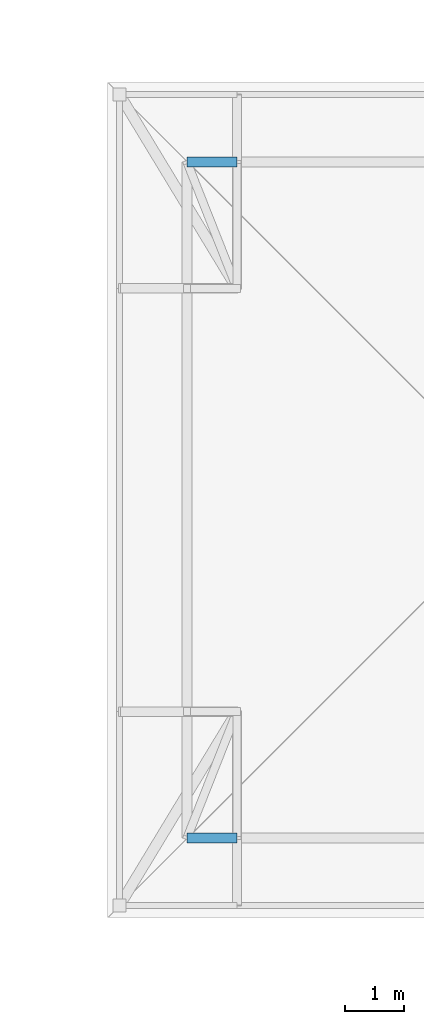
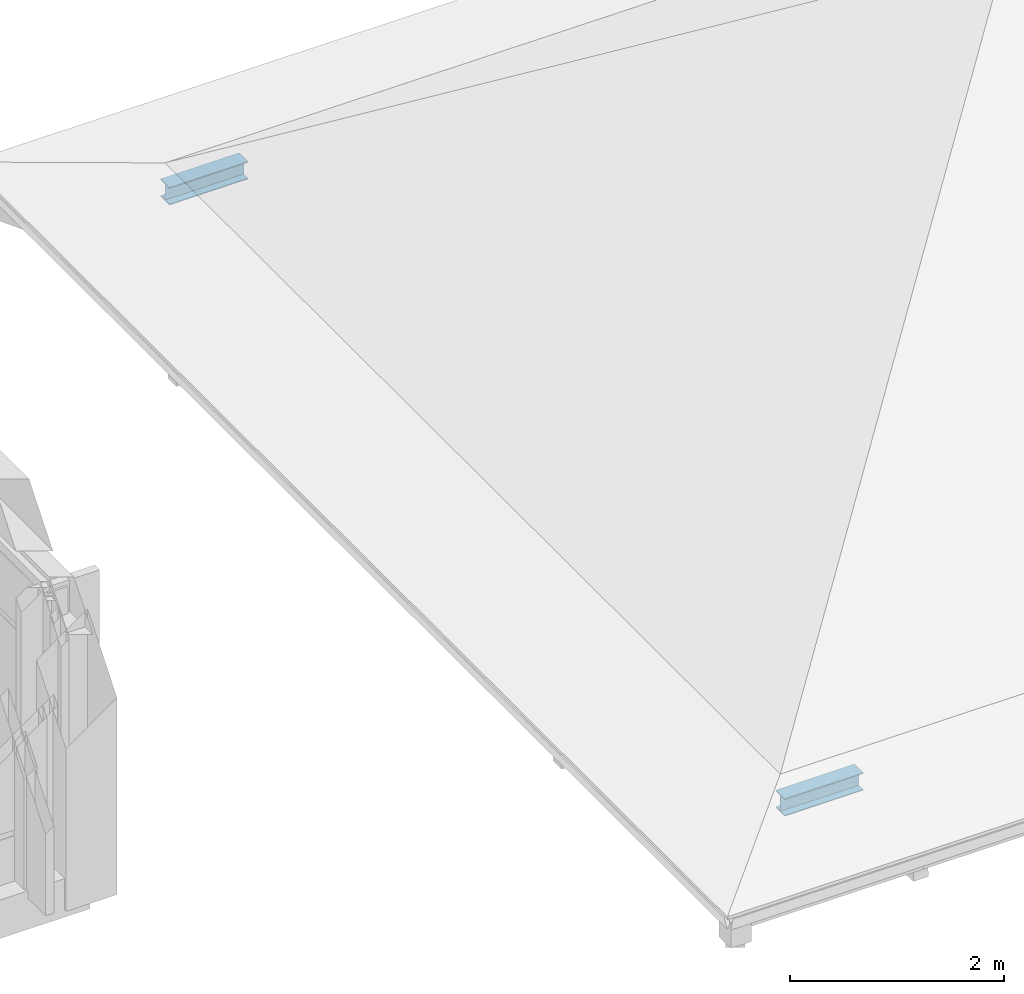
# One storey, part 20 of 51: 2 members.
"""IFC4 building model written with IfcOpenShell, lengths in metres."""

from ifc_helpers import new_model, si_unit, direction, frame, origin, origin_2d, place, context, subcontext, project, spatial, i_section, extrude, material, material_profile, profile_set, type_object, element, save


model = new_model("IFC4")

# Units and contexts
model_context = context("Model", 3, precision=1e-05, world=origin(), true_north=direction((0.0, 1.0)))
body_context = subcontext(model_context, "Body", "Model", "MODEL_VIEW")
ifc_project = project(units=[si_unit("LENGTHUNIT", "METRE"), si_unit("AREAUNIT", "SQUARE_METRE"), si_unit("VOLUMEUNIT", "CUBIC_METRE"), si_unit("PLANEANGLEUNIT", "RADIAN"), si_unit("MASSUNIT", "GRAM", prefix="KILO")], contexts=[model_context])

# Site, building, storey
site_placement = place(None, origin())
site = spatial("IfcSite", under=ifc_project, at=site_placement, CompositionType="ELEMENT")
building_placement = place(site_placement, origin())
building = spatial("IfcBuilding", under=site, at=building_placement, Name="Steenspoor Specialist Clinic", CompositionType="ELEMENT")
storey_placement = place(building_placement, frame((0.0, 0.0, 17.39990234375)))
storey = spatial("IfcBuildingStorey", under=building, at=storey_placement, Name="L04", CompositionType="ELEMENT", Elevation=17.39990234375)

# Members
ifc_material = material(Name="Steel A992 Grade 50", Category="steel")
ifc_material_profile = material_profile(ifc_material, i_section(OverallWidth=0.1650390625, OverallDepth=0.200927734375, WebThickness=0.006103515625, FlangeThickness=0.01025390625, at=origin_2d()), Name="W200X36")
ifc_profile_set = profile_set([ifc_material_profile], Name="Steel A992 Grade 50")
member_type = type_object("IfcMemberType", Name="MEM-PURLIN-W200", PredefinedType="PURLIN", material=ifc_profile_set)
for number, where, z_axis, x_axis, name in (
    (1, (101.949951171875, 70.199951171875, 0.052490234375), (1.0, 0.0, 0.0), (0.0, 1.0, 0.0), "ROOF TRUSS Knuckle Purlin 263"),
    (2, (101.949951171875, 81.699951171875, 0.052490234375), (1.0, 0.0, 0.0), (0.0, 1.0, 0.0), "ROOF TRUSS Knuckle Purlin 264"),
):
    element("IfcMember", number, at=place(storey_placement, frame(where, z_axis=z_axis, x_axis=x_axis)), inside=storey, type_object=member_type, Name=name, PredefinedType="PURLIN", context=body_context, shape_type="SweptSolid", body=[
        extrude(i_section(OverallWidth=0.1650390625, OverallDepth=0.200927734375, WebThickness=0.006103515625, FlangeThickness=0.01025390625, at=origin_2d()), origin(), (0.0, 0.0, 1.0), 0.85009765625),
    ])

save(model, "model.ifc")
